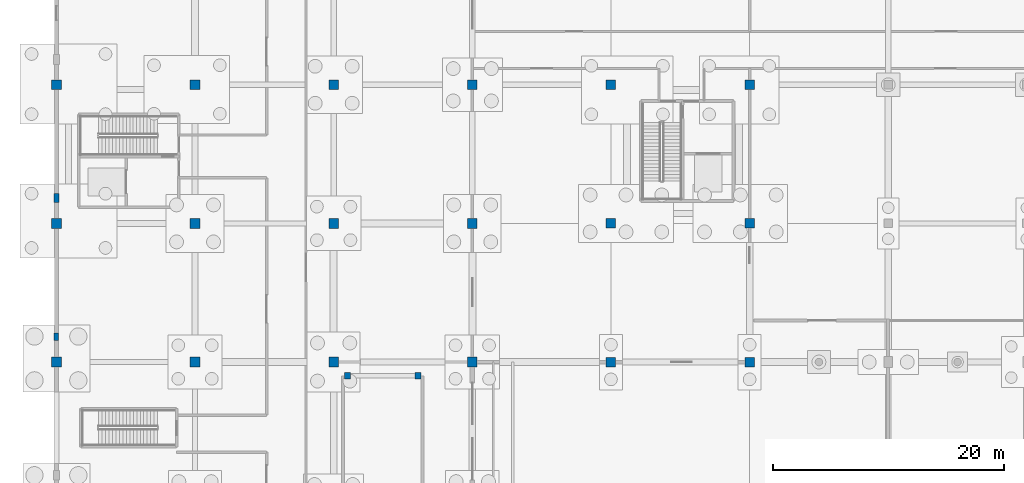
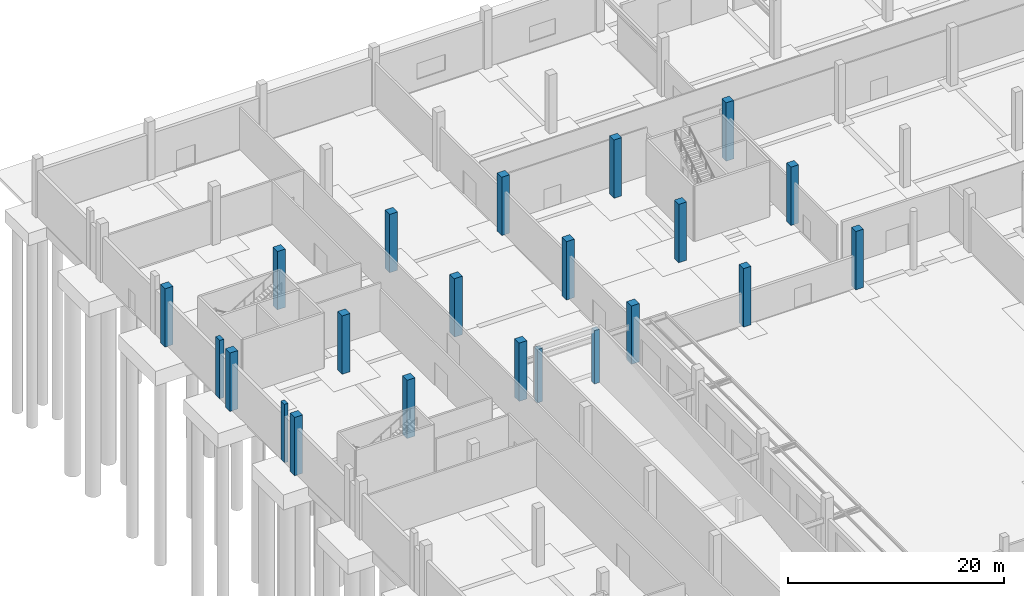
# One storey, part 19 of 117: 22 columns.
"""IFC4 building model written with IfcOpenShell, lengths in metres."""

import ifcopenshell
import ifcopenshell.guid

model = None  # the IFC model being written
_history = None  # IfcOwnerHistory: only IFC2X3 demands one
_inside = {}  # id of a spatial element -> (the spatial element, [elements in it])
_under = {}  # id of a project, library or spatial element -> (it, [spatial elements below it])
_declared = {}  # id of a project -> (the project, [libraries it declares])
_typed = {}  # id of a type object -> (the type object, [elements of that type])
_made_of = {}  # id of a material, layer set ... -> (it, [elements and type objects made of it])


def new_model(schema):
    """Start an empty IFC model of exactly this schema.

    Asked for "IFC4X3", IfcOpenShell would pick the latest addendum, in which some entities
    have other attributes; the version numbers below select the first issue.
    IFC2X3 requires an IfcOwnerHistory on every rooted entity: one is made here for all.
    """
    global model, _history
    if schema == "IFC4X3":
        model = ifcopenshell.file(schema_version=(4, 3, 0, 0))
    else:
        model = ifcopenshell.file(schema=schema)
    _inside.clear()
    _under.clear()
    _declared.clear()
    _typed.clear()
    _made_of.clear()
    _history = None
    if model.schema == "IFC2X3":
        org = make("IfcOrganization", Name="unknown")
        user = make(
            "IfcPersonAndOrganization",
            ThePerson=make("IfcPerson", FamilyName="unknown"),
            TheOrganization=org,
        )
        app = make(
            "IfcApplication",
            ApplicationDeveloper=org,
            Version="unknown",
            ApplicationFullName="unknown",
            ApplicationIdentifier="unknown",
        )
        _history = make(
            "IfcOwnerHistory",
            OwningUser=user,
            OwningApplication=app,
            ChangeAction="ADDED",
            CreationDate=0,
        )
    return model


def make(cls, **values):
    """One entity of the class cls with the attributes given. An attribute that is None is left unset."""
    return model.create_entity(
        cls, **{name: value for name, value in values.items() if value is not None}
    )


def rooted(cls, **values):
    """An entity with a GlobalId (a new one), such as an element, a storey or a relation."""
    return make(cls, GlobalId=ifcopenshell.guid.new(), OwnerHistory=_history, **values)


def si_unit(unit_type, name, prefix=None):
    """IfcSIUnit, for example si_unit("LENGTHUNIT", "METRE", prefix="MILLI")."""
    return make("IfcSIUnit", UnitType=unit_type, Prefix=prefix, Name=name)


def assignment(units):
    """IfcUnitAssignment: the units of a project."""
    return None if units is None else make("IfcUnitAssignment", Units=units)


def point(xyz):
    """IfcCartesianPoint."""
    return None if xyz is None else make("IfcCartesianPoint", Coordinates=xyz)


def direction(xyz):
    """IfcDirection."""
    return None if xyz is None else make("IfcDirection", DirectionRatios=xyz)


def frame(location, z_axis=None, x_axis=None):
    """IfcAxis2Placement3D, a coordinate frame: its origin and axes. An axis left out is left unset."""
    return make(
        "IfcAxis2Placement3D",
        Location=point(location),
        Axis=direction(z_axis),
        RefDirection=direction(x_axis),
    )


def frame_2d(location, x_axis=None):
    """IfcAxis2Placement2D, a coordinate frame in the plane: its origin and x axis."""
    return make(
        "IfcAxis2Placement2D", Location=point(location), RefDirection=direction(x_axis)
    )


def origin():
    """The frame at (0, 0, 0) with its axes left unset."""
    return frame((0.0, 0.0, 0.0))


def origin_2d():
    """The frame at (0, 0) in the plane with its x axis left unset."""
    return frame_2d((0.0, 0.0))


def place(relative_to, where):
    """IfcLocalPlacement: puts the frame where relative to a parent placement (None: the world)."""
    return make(
        "IfcLocalPlacement", PlacementRelTo=relative_to, RelativePlacement=where
    )


def context(
    kind, dimensions, precision=None, world=None, true_north=None, identifier=None
):
    """IfcGeometricRepresentationContext, for example the 3D "Model" context."""
    return make(
        "IfcGeometricRepresentationContext",
        ContextIdentifier=identifier,
        ContextType=kind,
        CoordinateSpaceDimension=dimensions,
        Precision=precision,
        WorldCoordinateSystem=world,
        TrueNorth=true_north,
    )


def subcontext(parent, identifier, kind, view, scale=None):
    """IfcGeometricRepresentationSubContext, for example "Body" below "Model"."""
    return make(
        "IfcGeometricRepresentationSubContext",
        ContextIdentifier=identifier,
        ContextType=kind,
        ParentContext=parent,
        TargetScale=scale,
        TargetView=view,
    )


def project(units=None, contexts=None):
    """IfcProject with its units and contexts."""
    return rooted(
        "IfcProject",
        Name="project",
        RepresentationContexts=contexts,
        UnitsInContext=assignment(units),
    )


def spatial(cls, under=None, at=None, **own):
    """A site, building, storey or space (cls), placed at a placement, below another one or the project."""
    s = rooted(cls, ObjectPlacement=at, **own)
    if under is not None:
        _under.setdefault(under.id(), (under, []))[1].append(s)
    return s


def profile(cls, at=None, kind="AREA", **sizes):
    """A parametric profile (cls). Its sizes go by their IFC names, for example OverallWidth=200.0."""
    return make(cls, ProfileType=kind, Position=at, **sizes)


def rectangle(**sizes):
    """IfcRectangleProfileDef."""
    return profile("IfcRectangleProfileDef", **sizes)


def extrude(swept, where, along, depth):
    """IfcExtrudedAreaSolid: the profile swept, set in the frame where, extruded along a direction by depth."""
    return make(
        "IfcExtrudedAreaSolid",
        SweptArea=swept,
        Position=where,
        ExtrudedDirection=direction(along),
        Depth=depth,
    )


def shape(context_of_items, identifier, shape_type, items):
    """IfcShapeRepresentation: the items that make up one representation, for example the "Body"."""
    return make(
        "IfcShapeRepresentation",
        ContextOfItems=context_of_items,
        RepresentationIdentifier=identifier,
        RepresentationType=shape_type,
        Items=items,
    )


def material(Name=None, Category=None):
    """IfcMaterial."""
    return make("IfcMaterial", Name=Name, Category=Category)


def material_profile(
    of_material, cross_section, Name=None, Category=None, Priority=None
):
    """IfcMaterialProfile: a cross section and its material."""
    return make(
        "IfcMaterialProfile",
        Name=Name,
        Material=of_material,
        Profile=cross_section,
        Priority=Priority,
        Category=Category,
    )


def profile_set(profiles, Name=None, composite=None):
    """IfcMaterialProfileSet."""
    return make(
        "IfcMaterialProfileSet",
        Name=Name,
        MaterialProfiles=profiles,
        CompositeProfile=composite,
    )


def made_of(thing, what):
    """Note that an element or type object is made of a material, layer set ...; save() writes the relation."""
    if what is not None:
        _made_of.setdefault(what.id(), (what, []))[1].append(thing)
    return thing


def type_object(cls, material=None, **own):
    """A type object (cls), such as IfcWallType, which elements share."""
    return made_of(rooted(cls, **own), material)


def element(
    cls,
    number,
    at=None,
    inside=None,
    cuts=None,
    type_object=None,
    material=None,
    context=None,
    identifier="Body",
    shape_type=None,
    held_by="IfcProductDefinitionShape",
    body=None,
    shapes=None,
    **own,
):
    """One element of the class cls, such as IfcWall. Its Tag is "e" and its number.

    at: its placement. inside: the storey or other place that contains it. cuts: it is an
    opening in that element (IfcRelVoidsElement). A single representation is given by context,
    identifier, shape_type and body (its items); several are given by shapes. held_by: the class
    of the entity that holds the representations. save() writes the other relations.
    """
    e = rooted(cls, Tag="e%d" % number, ObjectPlacement=at, **own)
    if body is not None:
        shapes = [shape(context, identifier, shape_type, body)]
    if shapes is not None:
        e.Representation = make(held_by, Representations=shapes)
    if inside is not None:
        _inside.setdefault(inside.id(), (inside, []))[1].append(e)
    if cuts is not None:
        rooted(
            "IfcRelVoidsElement", RelatingBuildingElement=cuts, RelatedOpeningElement=e
        )
    if type_object is not None:
        _typed.setdefault(type_object.id(), (type_object, []))[1].append(e)
    return made_of(e, material)


def aggregate(whole, parts):
    """IfcRelAggregates: a whole, such as a stair, and the parts it consists of."""
    return rooted("IfcRelAggregates", RelatingObject=whole, RelatedObjects=parts)


def save(model, path):
    """Write the relations noted so far, then the file.

    IfcRelAggregates (storeys below a building ...), IfcRelContainedInSpatialStructure (elements
    in a storey), IfcRelDefinesByType, IfcRelAssociatesMaterial and IfcRelDeclares: one each for
    every whole, place, type object, material and project.
    """
    for whole, parts in _under.values():
        aggregate(whole, parts)
    for where, things in _inside.values():
        rooted(
            "IfcRelContainedInSpatialStructure",
            RelatedElements=things,
            RelatingStructure=where,
        )
    for kind, things in _typed.values():
        rooted("IfcRelDefinesByType", RelatedObjects=things, RelatingType=kind)
    for what, things in _made_of.values():
        rooted("IfcRelAssociatesMaterial", RelatedObjects=things, RelatingMaterial=what)
    for by, libraries in _declared.values():
        rooted("IfcRelDeclares", RelatingContext=by, RelatedDefinitions=libraries)
    model.write(path)


model = new_model("IFC4")

# Units and contexts
model_context = context("Model", 3, precision=1e-05, world=origin(), true_north=direction((0.0, 1.0)))
body_context = subcontext(model_context, "Body", "Model", "MODEL_VIEW")
ifc_project = project(units=[si_unit("LENGTHUNIT", "METRE"), si_unit("AREAUNIT", "SQUARE_METRE"), si_unit("VOLUMEUNIT", "CUBIC_METRE"), si_unit("PLANEANGLEUNIT", "RADIAN"), si_unit("MASSUNIT", "GRAM", prefix="KILO")], contexts=[model_context])

# Site, building, storey
site_placement = place(None, origin())
site = spatial("IfcSite", under=ifc_project, at=site_placement, CompositionType="ELEMENT")
building_placement = place(site_placement, origin())
building = spatial("IfcBuilding", under=site, at=building_placement, Name="Kamomehara Wholesale Market", CompositionType="ELEMENT")
storey_placement = place(building_placement, origin())
storey = spatial("IfcBuildingStorey", under=building, at=storey_placement, Name="L00", CompositionType="ELEMENT", Elevation=0.0)

# Columns
ifc_material_1 = material(Name="Precast concrete Fc45 (C40/50)", Category="concrete")
ifc_material_profile_1 = material_profile(ifc_material_1, rectangle(XDim=0.550048828125, YDim=0.550048828125, at=origin_2d()), Name="PC-COL-550x550")
ifc_profile_set_1 = profile_set([ifc_material_profile_1], Name="Precast concrete Fc45 (C40/50)")
column_type_1 = type_object("IfcColumnType", Name="COL-PC550", PredefinedType="COLUMN", material=ifc_profile_set_1)
for number, where, z_axis, x_axis, name in (
    (1, (25.199951171875, 106.800048828125, 0.0), (0.0, 0.0, 1.0), (1.0, 0.0, 0.0), "Vehicle ramp header column 25"),
    (2, (31.300048828125, 106.800048828125, 0.0), (0.0, 0.0, 1.0), (1.0, 0.0, 0.0), "Vehicle ramp header column 31"),
):
    element("IfcColumn", number, at=place(storey_placement, frame(where, z_axis=z_axis, x_axis=x_axis)), inside=storey, type_object=column_type_1, Name=name, PredefinedType="COLUMN", context=body_context, shape_type="SweptSolid", body=[
        extrude(rectangle(XDim=0.550048828125, YDim=0.550048828125, at=origin_2d()), origin(), (0.0, 0.0, 1.0), 6.027099609375),
    ])
ifc_material_2 = material(Name="Precast concrete Fc45 (C40/50)", Category="concrete")
ifc_material_profile_2 = material_profile(ifc_material_2, rectangle(XDim=0.820068359375, YDim=0.820068359375, at=origin_2d()), Name="PC-COL-820x820")
ifc_profile_set_2 = profile_set([ifc_material_profile_2], Name="Precast concrete Fc45 (C40/50)")
column_type_2 = type_object("IfcColumnType", Name="COL-PC820", PredefinedType="COLUMN", material=ifc_profile_set_2)
for number, where, z_axis, x_axis, name in (
    (3, (48.0, 120.0, 0.0), (0.0, 0.0, 1.0), (1.0, 0.0, 0.0), "Column C-12 L00"),
    (4, (48.0, 132.0, 0.0), (0.0, 0.0, 1.0), (1.0, 0.0, 0.0), "Column C-12 L00"),
):
    element("IfcColumn", number, at=place(storey_placement, frame(where, z_axis=z_axis, x_axis=x_axis)), inside=storey, type_object=column_type_2, Name=name, PredefinedType="COLUMN", context=body_context, shape_type="SweptSolid", body=[
        extrude(rectangle(XDim=0.820068359375, YDim=0.820068359375, at=origin_2d()), origin(), (0.0, 0.0, 1.0), 6.60009765625),
    ])
ifc_material_3 = material(Name="Precast concrete Fc45 (C40/50)", Category="concrete")
ifc_material_profile_3 = material_profile(ifc_material_3, rectangle(XDim=0.820068359375, YDim=0.820068359375, at=origin_2d()), Name="PC-COL-820x820")
ifc_profile_set_3 = profile_set([ifc_material_profile_3], Name="Precast concrete Fc45 (C40/50)")
column_type_3 = type_object("IfcColumnType", Name="COL-PC820-EXT", PredefinedType="COLUMN", material=ifc_profile_set_3)
for number, where, z_axis, x_axis, name in (
    (5, (48.0, 108.0, 0.0), (0.0, 0.0, 1.0), (1.0, 0.0, 0.0), "Column C-12E L00"),
    (6, (60.0, 108.0, 0.0), (0.0, 0.0, 1.0), (1.0, 0.0, 0.0), "Column C-12E L00"),
    (7, (60.0, 120.0, 0.0), (0.0, 0.0, 1.0), (1.0, 0.0, 0.0), "Column C-12E L00"),
    (8, (60.0, 132.0, 0.0), (0.0, 0.0, 1.0), (1.0, 0.0, 0.0), "Column C-12E L00"),
):
    element("IfcColumn", number, at=place(storey_placement, frame(where, z_axis=z_axis, x_axis=x_axis)), inside=storey, type_object=column_type_3, Name=name, PredefinedType="COLUMN", context=body_context, shape_type="SweptSolid", body=[
        extrude(rectangle(XDim=0.820068359375, YDim=0.820068359375, at=origin_2d()), origin(), (0.0, 0.0, 1.0), 6.60009765625),
    ])
ifc_material_4 = material(Name="Precast concrete Fc45 (C40/50)", Category="concrete")
ifc_material_profile_4 = material_profile(ifc_material_4, rectangle(XDim=0.85009765625, YDim=0.85009765625, at=origin_2d()), Name="PC-COL-850x850")
ifc_profile_set_4 = profile_set([ifc_material_profile_4], Name="Precast concrete Fc45 (C40/50)")
column_type_4 = type_object("IfcColumnType", Name="COL-PC850", PredefinedType="COLUMN", material=ifc_profile_set_4)
for number, where, z_axis, x_axis, name in (
    (9, (12.0, 120.0, 0.0), (0.0, 0.0, 1.0), (1.0, 0.0, 0.0), "Column C-02 L00"),
    (10, (12.0, 132.0, 0.0), (0.0, 0.0, 1.0), (1.0, 0.0, 0.0), "Column C-02 L00"),
    (11, (24.0, 120.0, 0.0), (0.0, 0.0, 1.0), (1.0, 0.0, 0.0), "Column C-02 L00"),
    (12, (24.0, 132.0, 0.0), (0.0, 0.0, 1.0), (1.0, 0.0, 0.0), "Column C-02 L00"),
):
    element("IfcColumn", number, at=place(storey_placement, frame(where, z_axis=z_axis, x_axis=x_axis)), inside=storey, type_object=column_type_4, Name=name, PredefinedType="COLUMN", context=body_context, shape_type="SweptSolid", body=[
        extrude(rectangle(XDim=0.85009765625, YDim=0.85009765625, at=origin_2d()), origin(), (0.0, 0.0, 1.0), 6.60009765625),
    ])
ifc_material_5 = material(Name="Precast concrete Fc45 (C40/50)", Category="concrete")
ifc_material_profile_5 = material_profile(ifc_material_5, rectangle(XDim=0.85009765625, YDim=0.85009765625, at=origin_2d()), Name="PC-COL-850x850")
ifc_profile_set_5 = profile_set([ifc_material_profile_5], Name="Precast concrete Fc45 (C40/50)")
column_type_5 = type_object("IfcColumnType", Name="COL-PC850-EXT", PredefinedType="COLUMN", material=ifc_profile_set_5)
for number, where, z_axis, x_axis, name in (
    (13, (0.0, 108.0, 0.0), (0.0, 0.0, 1.0), (1.0, 0.0, 0.0), "Column C-02E L00"),
    (14, (0.0, 120.0, 0.0), (0.0, 0.0, 1.0), (1.0, 0.0, 0.0), "Column C-02E L00"),
    (15, (0.0, 132.0, 0.0), (0.0, 0.0, 1.0), (1.0, 0.0, 0.0), "Column C-02E L00"),
    (16, (12.0, 108.0, 0.0), (0.0, 0.0, 1.0), (1.0, 0.0, 0.0), "Column C-02E L00"),
    (17, (24.0, 108.0, 0.0), (0.0, 0.0, 1.0), (1.0, 0.0, 0.0), "Column C-02E L00"),
    (18, (36.0, 108.0, 0.0), (0.0, 0.0, 1.0), (1.0, 0.0, 0.0), "Column C-02E L00"),
    (19, (36.0, 120.0, 0.0), (0.0, 0.0, 1.0), (1.0, 0.0, 0.0), "Column C-02E L00"),
    (20, (36.0, 132.0, 0.0), (0.0, 0.0, 1.0), (1.0, 0.0, 0.0), "Column C-02E L00"),
):
    element("IfcColumn", number, at=place(storey_placement, frame(where, z_axis=z_axis, x_axis=x_axis)), inside=storey, type_object=column_type_5, Name=name, PredefinedType="COLUMN", context=body_context, shape_type="SweptSolid", body=[
        extrude(rectangle(XDim=0.85009765625, YDim=0.85009765625, at=origin_2d()), origin(), (0.0, 0.0, 1.0), 6.60009765625),
    ])
ifc_material_6 = material(Name="Precast concrete Fc45 (C40/50)", Category="concrete")
ifc_material_profile_6 = material_profile(ifc_material_6, rectangle(XDim=0.39990234375, YDim=0.64990234375, at=origin_2d()), Name="PC-PIL-400x650")
ifc_profile_set_6 = profile_set([ifc_material_profile_6], Name="Precast concrete Fc45 (C40/50)")
column_type_6 = type_object("IfcColumnType", Name="PIL-PC650-EXT", PredefinedType="PILASTER", material=ifc_profile_set_6)
column_1_placement = place(storey_placement, frame((0.0, 110.199951171875, 0.0), z_axis=(0.0, 0.0, 1.0), x_axis=(1.0, 0.0, 0.0)))
element("IfcColumn", 21, at=column_1_placement, inside=storey, type_object=column_type_6, Name="Column PL-01E L00", PredefinedType="PILASTER", context=body_context, shape_type="SweptSolid", body=[
    extrude(rectangle(XDim=0.39990234375, YDim=0.64990234375, at=origin_2d()), origin(), (0.0, 0.0, 1.0), 6.60009765625),
])
ifc_material_7 = material(Name="Precast concrete Fc45 (C40/50)", Category="concrete")
ifc_material_profile_7 = material_profile(ifc_material_7, rectangle(XDim=0.449951171875, YDim=0.75, at=origin_2d()), Name="PC-PIL-450x750")
ifc_profile_set_7 = profile_set([ifc_material_profile_7], Name="Precast concrete Fc45 (C40/50)")
column_type_7 = type_object("IfcColumnType", Name="PIL-PC750-EXT", PredefinedType="PILASTER", material=ifc_profile_set_7)
column_2_placement = place(storey_placement, frame((0.0, 122.199951171875, 0.0), z_axis=(0.0, 0.0, 1.0), x_axis=(1.0, 0.0, 0.0)))
element("IfcColumn", 22, at=column_2_placement, inside=storey, type_object=column_type_7, Name="Column PL-02E L00", PredefinedType="PILASTER", context=body_context, shape_type="SweptSolid", body=[
    extrude(rectangle(XDim=0.449951171875, YDim=0.75, at=origin_2d()), origin(), (0.0, 0.0, 1.0), 6.60009765625),
])

save(model, "model.ifc")
